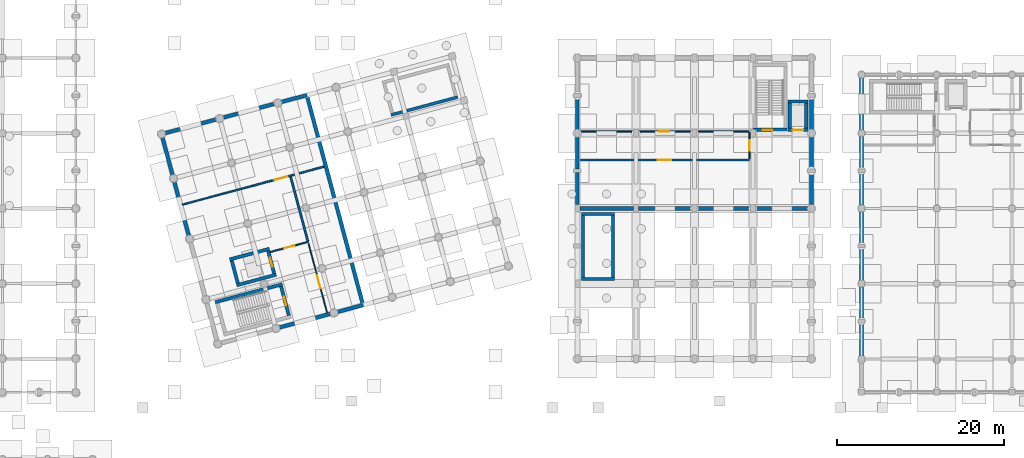
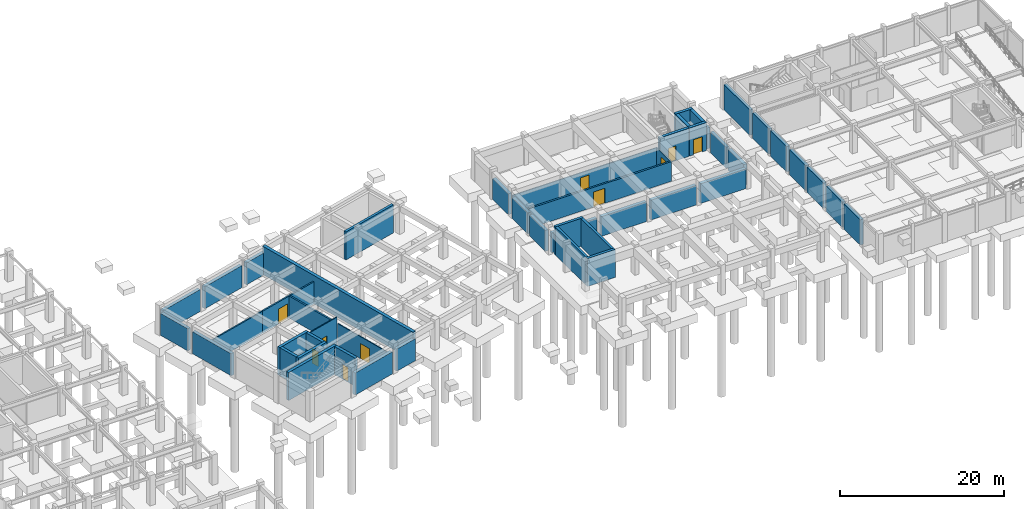
# One storey, part 13 of 20: 49 walls, 10 doors, 10 openings.
"""IFC4 building model written with IfcOpenShell, lengths in metres."""

from ifc_helpers import new_model, si_unit, direction, frame, frame_2d, origin, place, context, subcontext, project, spatial, rectangle, extrude, material, layer, layer_set, type_object, element, fill, save


model = new_model("IFC4")

# Units and contexts
model_context = context("Model", 3, precision=1e-05, world=origin(), true_north=direction((0.0, 1.0)))
body_context = subcontext(model_context, "Body", "Model", "MODEL_VIEW")
ifc_project = project(units=[si_unit("LENGTHUNIT", "METRE"), si_unit("AREAUNIT", "SQUARE_METRE"), si_unit("VOLUMEUNIT", "CUBIC_METRE"), si_unit("PLANEANGLEUNIT", "RADIAN"), si_unit("MASSUNIT", "GRAM", prefix="KILO")], contexts=[model_context])

# Site, building, storey
site_placement = place(None, origin())
site = spatial("IfcSite", under=ifc_project, at=site_placement, CompositionType="ELEMENT")
building_placement = place(site_placement, origin())
building = spatial("IfcBuilding", under=site, at=building_placement, Name="Ventoquebrada Cableway Terminal", CompositionType="ELEMENT")
storey_placement = place(building_placement, frame((0.0, 0.0, -4.5)))
storey = spatial("IfcBuildingStorey", under=building, at=storey_placement, Name="B1", CompositionType="ELEMENT", Elevation=-4.5)

# Wall, opening, door
ifc_material_1 = material(Name="Concrete C40/50", Category="concrete")
ifc_layer_1 = layer(ifc_material_1, 0.39990234375)
ifc_layer_set_1 = layer_set([ifc_layer_1], Name="Concrete C40/50")
wall_type_1 = type_object("IfcWallType", Name="WL-CR1", PredefinedType="SHEAR", material=ifc_layer_set_1)
wall_1_placement = place(storey_placement, frame((60.48291015625, 73.201904296875, 0.0), z_axis=(0.0, 0.0, 1.0), x_axis=(-0.258553052639, 0.965997059504, 0.0)))
wall_1 = element("IfcWall", 1, at=wall_1_placement, inside=storey, type_object=wall_type_1, Name="Core shear wall IW-0090", PredefinedType="SHEAR", context=body_context, shape_type="SweptSolid", body=[
    extrude(rectangle(XDim=3.600341796875, YDim=0.39990234375, at=frame_2d((1.80029296875, 0.0))), origin(), (0.0, 0.0, 1.0), 4.18994140625),
])
opening_1_placement = place(wall_1_placement, frame((1.199951171875, 0.0, 0.0)))
opening_1 = element("IfcOpeningElement", 2, at=opening_1_placement, cuts=wall_1, Name="Opening D-011", PredefinedType="OPENING", context=body_context, shape_type="SweptSolid", body=[
    extrude(rectangle(XDim=1.10009765625, YDim=2.199951171875, at=frame_2d((0.550048828125, 1.10009765625))), frame((0.0, 0.2099609375, 0.0), z_axis=(0.0, -1.0, 0.0), x_axis=(1.0, 0.0, 0.0)), (0.0, 0.0, 1.0), 0.419921875),
])
ifc_material_2 = material(Name="Galvanized fire-rated steel door assembly", Category="steel")
door_type_1 = type_object("IfcDoorType", Name="DT-IN05", OperationType="SINGLE_SWING_LEFT", PredefinedType="DOOR", material=ifc_material_2)
door_1_placement = place(opening_1_placement, origin())
door_1 = element("IfcDoor", 3, at=door_1_placement, inside=storey, type_object=door_type_1, Name="Core K2-S stair fire door D-011", OperationType="SINGLE_SWING_RIGHT", OverallHeight=2.199951171875, OverallWidth=1.10009765625, PredefinedType="DOOR", context=body_context, shape_type="SweptSolid", body=[
    extrude(rectangle(XDim=1.10009765625, YDim=2.199951171875, at=frame_2d((0.550048828125, 1.10009765625))), frame((0.0, 0.02490234375, 0.0), z_axis=(0.0, -1.0, 0.0), x_axis=(1.0, 0.0, 0.0)), (0.0, 0.0, 1.0), 0.050048828125),
])
fill(opening_1, door_1)

# Walls
wall_2_placement = place(storey_placement, frame((59.693115234375, 76.925048828125, 0.0), z_axis=(0.0, 0.0, 1.0), x_axis=(-0.965895785046, -0.258931134532, 0.0)))
element("IfcWall", 4, at=wall_2_placement, inside=storey, type_object=wall_type_1, Name="Core shear wall IW-0091", PredefinedType="SHEAR", context=body_context, shape_type="SweptSolid", body=[
    extrude(rectangle(XDim=8.300048828125, YDim=0.39990234375, at=frame_2d((4.14990234375, 0.0))), origin(), (0.0, 0.0, 1.0), 4.18994140625),
])
wall_3_placement = place(storey_placement, frame((54.237060546875, 76.80810546875, 0.0), z_axis=(0.0, 0.0, 1.0), x_axis=(0.96589421857, 0.258936977917, 0.0)))
element("IfcWall", 5, at=wall_3_placement, inside=storey, type_object=wall_type_1, Name="Core shear wall IW-0093", PredefinedType="SHEAR", context=body_context, shape_type="SweptSolid", body=[
    extrude(rectangle(XDim=4.900146484375, YDim=0.39990234375, at=frame_2d((2.4501953125, 0.0))), origin(), (0.0, 0.0, 1.0), 4.18994140625),
])

# Wall, opening, door
wall_4_placement = place(storey_placement, frame((58.72509765625, 78.218017578125, 0.0), z_axis=(0.0, 0.0, 1.0), x_axis=(-0.258585009686, 0.965988505504, 0.0)))
wall_4 = element("IfcWall", 6, at=wall_4_placement, inside=storey, type_object=wall_type_1, Name="Core shear wall IW-0094", PredefinedType="SHEAR", context=body_context, shape_type="SweptSolid", body=[
    extrude(rectangle(XDim=2.80029296875, YDim=0.39990234375, at=frame_2d((1.400146484375, 0.0))), origin(), (0.0, 0.0, 1.0), 4.18994140625),
])
opening_2_placement = place(wall_4_placement, frame((0.85009765625, 0.0, 0.0)))
opening_2 = element("IfcOpeningElement", 7, at=opening_2_placement, cuts=wall_4, Name="Opening LD-011", PredefinedType="OPENING", context=body_context, shape_type="SweptSolid", body=[
    extrude(rectangle(XDim=1.10009765625, YDim=2.199951171875, at=frame_2d((0.550048828125, 1.10009765625))), frame((0.0, 0.2099609375, 0.0), z_axis=(0.0, -1.0, 0.0), x_axis=(1.0, 0.0, 0.0)), (0.0, 0.0, 1.0), 0.419921875),
])
ifc_material_3 = material(Name="Brushed stainless steel Grade 316", Category="steel")
door_type_2 = type_object("IfcDoorType", Name="DT-LD01", OperationType="SLIDING_TO_LEFT", PredefinedType="DOOR", material=ifc_material_3)
door_2_placement = place(opening_2_placement, origin())
door_2 = element("IfcDoor", 8, at=door_2_placement, inside=storey, type_object=door_type_2, Name="Lift landing sliding door LD-011", OperationType="SLIDING_TO_RIGHT", OverallHeight=2.199951171875, OverallWidth=1.10009765625, PredefinedType="DOOR", context=body_context, shape_type="SweptSolid", body=[
    extrude(rectangle(XDim=1.10009765625, YDim=2.199951171875, at=frame_2d((0.550048828125, 1.10009765625))), frame((0.0, 0.02490234375, 0.0), z_axis=(0.0, -1.0, 0.0), x_axis=(1.0, 0.0, 0.0)), (0.0, 0.0, 1.0), 0.050048828125),
])
fill(opening_2, door_2)

# Walls
wall_5_placement = place(storey_placement, frame((58.14208984375, 81.16796875, 0.0), z_axis=(0.0, 0.0, 1.0), x_axis=(-0.965885097819, -0.258970998012, 0.0)))
element("IfcWall", 9, at=wall_5_placement, inside=storey, type_object=wall_type_1, Name="Core shear wall IW-0095", PredefinedType="SHEAR", context=body_context, shape_type="SweptSolid", body=[
    extrude(rectangle(XDim=4.900390625, YDim=0.39990234375, at=frame_2d((2.4501953125, 0.0))), origin(), (0.0, 0.0, 1.0), 4.18994140625),
])
wall_6_placement = place(storey_placement, frame((53.654052734375, 79.758056640625, 0.0), z_axis=(0.0, 0.0, 1.0), x_axis=(0.258503653459, -0.966010280043, 0.0)))
element("IfcWall", 10, at=wall_6_placement, inside=storey, type_object=wall_type_1, Name="Core shear wall IW-0096", PredefinedType="SHEAR", context=body_context, shape_type="SweptSolid", body=[
    extrude(rectangle(XDim=2.80029296875, YDim=0.39990234375, at=frame_2d((1.400146484375, 0.0))), origin(), (0.0, 0.0, 1.0), 4.18994140625),
])

# Wall, opening, door
wall_7_placement = place(storey_placement, frame((116.0, 95.39990234375, 0.0), z_axis=(0.0, 0.0, 1.0), x_axis=(1.0, 0.0, 0.0)))
wall_7 = element("IfcWall", 11, at=wall_7_placement, inside=storey, type_object=wall_type_1, Name="Core shear wall IW-0121", PredefinedType="SHEAR", context=body_context, shape_type="SweptSolid", body=[
    extrude(rectangle(XDim=4.10009765625, YDim=0.39990234375, at=frame_2d((2.050048828125, 0.0))), origin(), (0.0, 0.0, 1.0), 4.18994140625),
])
opening_3_placement = place(wall_7_placement, frame((1.199951171875, 0.0, 0.0)))
opening_3 = element("IfcOpeningElement", 12, at=opening_3_placement, cuts=wall_7, Name="Opening D-015", PredefinedType="OPENING", context=body_context, shape_type="SweptSolid", body=[
    extrude(rectangle(XDim=1.10009765625, YDim=2.199951171875, at=frame_2d((0.550048828125, 1.10009765625))), frame((0.0, 0.2099609375, 0.0), z_axis=(0.0, -1.0, 0.0), x_axis=(1.0, 0.0, 0.0)), (0.0, 0.0, 1.0), 0.419921875),
])
door_3_placement = place(opening_3_placement, origin())
door_3 = element("IfcDoor", 13, at=door_3_placement, inside=storey, type_object=door_type_1, Name="Core K4-S stair fire door D-015", OperationType="SINGLE_SWING_RIGHT", OverallHeight=2.199951171875, OverallWidth=1.10009765625, PredefinedType="DOOR", context=body_context, shape_type="SweptSolid", body=[
    extrude(rectangle(XDim=1.10009765625, YDim=2.199951171875, at=frame_2d((0.550048828125, 1.10009765625))), frame((0.0, 0.02490234375, 0.0), z_axis=(0.0, -1.0, 0.0), x_axis=(1.0, 0.0, 0.0)), (0.0, 0.0, 1.0), 0.050048828125),
])
fill(opening_3, door_3)

wall_8_placement = place(storey_placement, frame((120.199951171875, 95.39990234375, 0.0), z_axis=(0.0, 0.0, 1.0), x_axis=(1.0, 0.0, 0.0)))
wall_8 = element("IfcWall", 14, at=wall_8_placement, inside=storey, type_object=wall_type_1, Name="Core shear wall IW-0125", PredefinedType="SHEAR", context=body_context, shape_type="SweptSolid", body=[
    extrude(rectangle(XDim=2.400146484375, YDim=0.39990234375, at=frame_2d((1.2001953125, 0.0))), origin(), (0.0, 0.0, 1.0), 4.18994140625),
])
opening_4_placement = place(wall_8_placement, frame((0.550048828125, 0.0, 0.0)))
opening_4 = element("IfcOpeningElement", 15, at=opening_4_placement, cuts=wall_8, Name="Opening LD-015", PredefinedType="OPENING", context=body_context, shape_type="SweptSolid", body=[
    extrude(rectangle(XDim=1.300048828125, YDim=2.25, at=frame_2d((0.64990234375, 1.125))), frame((0.0, 0.2099609375, 0.0), z_axis=(0.0, -1.0, 0.0), x_axis=(1.0, 0.0, 0.0)), (0.0, 0.0, 1.0), 0.419921875),
])
door_type_3 = type_object("IfcDoorType", Name="DT-LD02", OperationType="SLIDING_TO_RIGHT", PredefinedType="DOOR", material=ifc_material_3)
door_4_placement = place(opening_4_placement, origin())
door_4 = element("IfcDoor", 16, at=door_4_placement, inside=storey, type_object=door_type_3, Name="Lift landing sliding door LD-015", OperationType="SLIDING_TO_RIGHT", OverallHeight=2.25, OverallWidth=1.300048828125, PredefinedType="DOOR", context=body_context, shape_type="SweptSolid", body=[
    extrude(rectangle(XDim=1.300048828125, YDim=2.25, at=frame_2d((0.64990234375, 1.125))), frame((0.0, 0.02490234375, 0.0), z_axis=(0.0, -1.0, 0.0), x_axis=(1.0, 0.0, 0.0)), (0.0, 0.0, 1.0), 0.050048828125),
])
fill(opening_4, door_4)

# Walls
wall_9_placement = place(storey_placement, frame((122.39990234375, 95.60009765625, 0.0), z_axis=(0.0, 0.0, 1.0), x_axis=(0.0, 1.0, 0.0)))
element("IfcWall", 17, at=wall_9_placement, inside=storey, type_object=wall_type_1, Name="Core shear wall IW-0126", PredefinedType="SHEAR", context=body_context, shape_type="SweptSolid", body=[
    extrude(rectangle(XDim=3.0, YDim=0.39990234375, at=frame_2d((1.5, 0.0))), origin(), (0.0, 0.0, 1.0), 4.18994140625),
])
wall_10_placement = place(storey_placement, frame((122.60009765625, 98.800048828125, 0.0), z_axis=(0.0, 0.0, 1.0), x_axis=(-1.0, 0.0, 0.0)))
element("IfcWall", 18, at=wall_10_placement, inside=storey, type_object=wall_type_1, Name="Core shear wall IW-0127", PredefinedType="SHEAR", context=body_context, shape_type="SweptSolid", body=[
    extrude(rectangle(XDim=2.400146484375, YDim=0.39990234375, at=frame_2d((1.2001953125, 0.0))), origin(), (0.0, 0.0, 1.0), 4.18994140625),
])
wall_11_placement = place(storey_placement, frame((120.39990234375, 98.60009765625, 0.0), z_axis=(0.0, 0.0, 1.0), x_axis=(0.0, -1.0, 0.0)))
element("IfcWall", 19, at=wall_11_placement, inside=storey, type_object=wall_type_1, Name="Core shear wall IW-0128", PredefinedType="SHEAR", context=body_context, shape_type="SweptSolid", body=[
    extrude(rectangle(XDim=3.0, YDim=0.39990234375, at=frame_2d((1.5, 0.0))), origin(), (0.0, 0.0, 1.0), 4.18994140625),
])

# Wall, opening, door
ifc_material_4 = material(Name="Fire-rated gypsum partition board on steel framing", Category="steel")
ifc_layer_2 = layer(ifc_material_4, 0.1201171875)
ifc_layer_set_2 = layer_set([ifc_layer_2], Name="Fire-rated gypsum partition board on steel framing")
wall_type_2 = type_object("IfcWallType", Name="WL-PT1", PredefinedType="PARTITIONING", material=ifc_layer_set_2)
wall_12_placement = place(storey_placement, frame((65.056884765625, 73.52001953125, 0.0), z_axis=(0.0, 0.0, 1.0), x_axis=(-0.258851340835, 0.965917172095, 0.0)))
wall_12 = element("IfcWall", 20, at=wall_12_placement, inside=storey, type_object=wall_type_2, Name="Interior partition IW-0301", PredefinedType="PARTITIONING", context=body_context, shape_type="SweptSolid", body=[
    extrude(rectangle(XDim=8.576171875, YDim=0.1201171875, at=frame_2d((4.2880859375, 0.0))), origin(), (0.0, 0.0, 1.0), 3.284912109375),
])
opening_5_placement = place(wall_12_placement, frame((3.0380859375, 0.0, 0.0)))
opening_5 = element("IfcOpeningElement", 21, at=opening_5_placement, cuts=wall_12, Name="Opening D-051", PredefinedType="OPENING", context=body_context, shape_type="SweptSolid", body=[
    extrude(rectangle(XDim=1.60009765625, YDim=2.25, at=frame_2d((0.800048828125, 1.125))), frame((0.0, 0.070068359375, 0.0), z_axis=(0.0, -1.0, 0.0), x_axis=(1.0, 0.0, 0.0)), (0.0, 0.0, 1.0), 0.14013671875),
])
door_type_4 = type_object("IfcDoorType", Name="DT-IN07", OperationType="DOUBLE_SWING_LEFT", PredefinedType="DOOR", material=ifc_material_2)
door_5_placement = place(opening_5_placement, origin())
door_5 = element("IfcDoor", 22, at=door_5_placement, inside=storey, type_object=door_type_4, Name="Bullwheel Pit Door D-051", OperationType="DOUBLE_SWING_RIGHT", OverallHeight=2.25, OverallWidth=1.60009765625, PredefinedType="DOOR", context=body_context, shape_type="SweptSolid", body=[
    extrude(rectangle(XDim=1.60009765625, YDim=2.25, at=frame_2d((0.800048828125, 1.125))), frame((0.0, 0.02490234375, 0.0), z_axis=(0.0, -1.0, 0.0), x_axis=(1.0, 0.0, 0.0)), (0.0, 0.0, 1.0), 0.050048828125),
])
fill(opening_5, door_5)

ifc_layer_3 = layer(ifc_material_4, 0.14990234375)
ifc_layer_set_3 = layer_set([ifc_layer_3], Name="Fire-rated gypsum partition board on steel framing")
wall_type_3 = type_object("IfcWallType", Name="WL-PT2", PredefinedType="PARTITIONING", material=ifc_layer_set_3)
wall_13_placement = place(storey_placement, frame((58.2451171875, 80.781005859375, 0.0), z_axis=(0.0, 0.0, 1.0), x_axis=(0.96594550127, 0.258745605906, 0.0)))
wall_13 = element("IfcWall", 23, at=wall_13_placement, inside=storey, type_object=wall_type_3, Name="Interior partition IW-0302", PredefinedType="PARTITIONING", context=body_context, shape_type="SweptSolid", body=[
    extrude(rectangle(XDim=4.699951171875, YDim=0.14990234375, at=frame_2d((2.35009765625, 0.0))), origin(), (0.0, 0.0, 1.0), 4.135009765625),
])
opening_6_placement = place(wall_13_placement, frame((1.75, 0.0, 0.0)))
opening_6 = element("IfcOpeningElement", 24, at=opening_6_placement, cuts=wall_13, Name="Opening D-052", PredefinedType="OPENING", context=body_context, shape_type="SweptSolid", body=[
    extrude(rectangle(XDim=1.199951171875, YDim=2.199951171875, at=frame_2d((0.60009765625, 1.10009765625))), frame((0.0, 0.0849609375, 0.0), z_axis=(0.0, -1.0, 0.0), x_axis=(1.0, 0.0, 0.0)), (0.0, 0.0, 1.0), 0.169921875),
])
door_type_5 = type_object("IfcDoorType", Name="DT-IN06", OperationType="SINGLE_SWING_RIGHT", PredefinedType="DOOR", material=ifc_material_2)
door_6_placement = place(opening_6_placement, origin())
door_6 = element("IfcDoor", 25, at=door_6_placement, inside=storey, type_object=door_type_5, Name="K2 Lobby Corridor Door D-052", OperationType="SINGLE_SWING_LEFT", OverallHeight=2.199951171875, OverallWidth=1.199951171875, PredefinedType="DOOR", context=body_context, shape_type="SweptSolid", body=[
    extrude(rectangle(XDim=1.199951171875, YDim=2.199951171875, at=frame_2d((0.60009765625, 1.10009765625))), frame((0.0, 0.02490234375, 0.0), z_axis=(0.0, -1.0, 0.0), x_axis=(1.0, 0.0, 0.0)), (0.0, 0.0, 1.0), 0.050048828125),
])
fill(opening_6, door_6)

# Wall
ifc_layer_4 = layer(ifc_material_4, 0.179931640625)
ifc_layer_set_4 = layer_set([ifc_layer_4], Name="Fire-rated gypsum partition board on steel framing")
wall_type_4 = type_object("IfcWallType", Name="WL-PT3", PredefinedType="STANDARD", material=ifc_layer_set_4)
wall_14_placement = place(storey_placement, frame((47.741943359375, 86.4560546875, 0.0), z_axis=(0.0, 0.0, 1.0), x_axis=(0.965921801336, 0.258834065964, 0.0)))
element("IfcWall", 26, at=wall_14_placement, inside=storey, type_object=wall_type_4, Name="Interior partition IW-0303", PredefinedType="STANDARD", context=body_context, shape_type="SweptSolid", body=[
    extrude(rectangle(XDim=8.6767578125, YDim=0.179931640625, at=frame_2d((4.33837890625, 0.0))), origin(), (0.0, 0.0, 1.0), 3.284912109375),
])

# Wall, opening, door
ifc_material_5 = material(Name="Autoclaved aerated concrete blockwork", Category="masonry")
ifc_layer_5 = layer(ifc_material_5, 0.199951171875)
ifc_layer_set_5 = layer_set([ifc_layer_5], Name="Autoclaved aerated concrete blockwork")
wall_type_5 = type_object("IfcWallType", Name="WL-PT4", PredefinedType="PARTITIONING", material=ifc_layer_set_5)
wall_15_placement = place(storey_placement, frame((56.123046875, 88.701904296875, 0.0), z_axis=(0.0, 0.0, 1.0), x_axis=(0.965933442502, 0.258790619337, 0.0)))
wall_15 = element("IfcWall", 27, at=wall_15_placement, inside=storey, type_object=wall_type_5, Name="Interior partition IW-0304", PredefinedType="PARTITIONING", context=body_context, shape_type="SweptSolid", body=[
    extrude(rectangle(XDim=8.87646484375, YDim=0.199951171875, at=frame_2d((4.438232421875, 0.0))), origin(), (0.0, 0.0, 1.0), 3.284912109375),
])
opening_7_placement = place(wall_15_placement, frame((2.738037109375, 0.0, 0.0)))
opening_7 = element("IfcOpeningElement", 28, at=opening_7_placement, cuts=wall_15, Name="Opening D-053", PredefinedType="OPENING", context=body_context, shape_type="SweptSolid", body=[
    extrude(rectangle(XDim=1.60009765625, YDim=2.25, at=frame_2d((0.800048828125, 1.125))), frame((0.0, 0.10986328125, 0.0), z_axis=(0.0, -1.0, 0.0), x_axis=(1.0, 0.0, 0.0)), (0.0, 0.0, 1.0), 0.219970703125),
])
door_7_placement = place(opening_7_placement, origin())
door_7 = element("IfcDoor", 29, at=door_7_placement, inside=storey, type_object=door_type_4, Name="Hydraulic Plant Hall Door D-053", OperationType="DOUBLE_SWING_RIGHT", OverallHeight=2.25, OverallWidth=1.60009765625, PredefinedType="DOOR", context=body_context, shape_type="SweptSolid", body=[
    extrude(rectangle(XDim=1.60009765625, YDim=2.25, at=frame_2d((0.800048828125, 1.125))), frame((0.0, 0.02490234375, 0.0), z_axis=(0.0, -1.0, 0.0), x_axis=(1.0, 0.0, 0.0)), (0.0, 0.0, 1.0), 0.050048828125),
])
fill(opening_7, door_7)

# Wall
ifc_layer_6 = layer(ifc_material_5, 0.22998046875)
ifc_layer_set_6 = layer_set([ifc_layer_6], Name="Autoclaved aerated concrete blockwork")
wall_type_6 = type_object("IfcWallType", Name="WL-PT5", PredefinedType="PARTITIONING", material=ifc_layer_set_6)
wall_16_placement = place(storey_placement, frame((62.76611328125, 82.068115234375, 0.0), z_axis=(0.0, 0.0, 1.0), x_axis=(-0.258813089189, 0.965927422152, 0.0)))
element("IfcWall", 30, at=wall_16_placement, inside=storey, type_object=wall_type_6, Name="Interior partition IW-0305", PredefinedType="PARTITIONING", context=body_context, shape_type="SweptSolid", body=[
    extrude(rectangle(XDim=8.029541015625, YDim=0.22998046875, at=frame_2d((4.0146484375, 0.0))), origin(), (0.0, 0.0, 1.0), 3.284912109375),
])

# Wall, opening, door
ifc_layer_7 = layer(ifc_material_5, 0.260009765625)
ifc_layer_set_7 = layer_set([ifc_layer_7], Name="Autoclaved aerated concrete blockwork")
wall_type_7 = type_object("IfcWallType", Name="WL-PT6", PredefinedType="PARTITIONING", material=ifc_layer_set_7)
wall_17_placement = place(storey_placement, frame((95.222900390625, 91.800048828125, 0.0), z_axis=(0.0, 0.0, 1.0), x_axis=(1.0, 0.0, 0.0)))
wall_17 = element("IfcWall", 31, at=wall_17_placement, inside=storey, type_object=wall_type_7, Name="Interior partition IW-0306", PredefinedType="PARTITIONING", context=body_context, shape_type="SweptSolid", body=[
    extrude(rectangle(XDim=20.377197265625, YDim=0.260009765625, at=frame_2d((10.1884765625, 0.0))), origin(), (0.0, 0.0, 1.0), 2.93505859375),
])
opening_8_placement = place(wall_17_placement, frame((9.387939453125, 0.0, 0.0)))
opening_8 = element("IfcOpeningElement", 32, at=opening_8_placement, cuts=wall_17, Name="Opening D-054", PredefinedType="OPENING", context=body_context, shape_type="SweptSolid", body=[
    extrude(rectangle(XDim=1.60009765625, YDim=2.25, at=frame_2d((0.800048828125, 1.125))), frame((0.0, 0.139892578125, 0.0), z_axis=(0.0, -1.0, 0.0), x_axis=(1.0, 0.0, 0.0)), (0.0, 0.0, 1.0), 0.280029296875),
])
door_8_placement = place(opening_8_placement, origin())
door_8 = element("IfcDoor", 33, at=door_8_placement, inside=storey, type_object=door_type_4, Name="Counterweight Tension Vault Door D-054", OperationType="DOUBLE_SWING_LEFT", OverallHeight=2.25, OverallWidth=1.60009765625, PredefinedType="DOOR", context=body_context, shape_type="SweptSolid", body=[
    extrude(rectangle(XDim=1.60009765625, YDim=2.25, at=frame_2d((0.800048828125, 1.125))), frame((0.0, 0.02490234375, 0.0), z_axis=(0.0, -1.0, 0.0), x_axis=(1.0, 0.0, 0.0)), (0.0, 0.0, 1.0), 0.050048828125),
])
fill(opening_8, door_8)

ifc_layer_8 = layer(ifc_material_4, 0.135009765625)
ifc_layer_set_8 = layer_set([ifc_layer_8], Name="Fire-rated gypsum partition board on steel framing")
wall_type_8 = type_object("IfcWallType", Name="WL-PT7", PredefinedType="PARTITIONING", material=ifc_layer_set_8)
wall_18_placement = place(storey_placement, frame((95.199951171875, 95.199951171875, 0.0), z_axis=(0.0, 0.0, 1.0), x_axis=(1.0, 0.0, 0.0)))
wall_18 = element("IfcWall", 34, at=wall_18_placement, inside=storey, type_object=wall_type_8, Name="Interior partition IW-0307", PredefinedType="PARTITIONING", context=body_context, shape_type="SweptSolid", body=[
    extrude(rectangle(XDim=20.400146484375, YDim=0.135009765625, at=frame_2d((10.2001953125, 0.0))), origin(), (0.0, 0.0, 1.0), 2.93505859375),
])
opening_9_placement = place(wall_18_placement, frame((9.60009765625, 0.0, 0.0)))
opening_9 = element("IfcOpeningElement", 35, at=opening_9_placement, cuts=wall_18, Name="Opening D-055", PredefinedType="OPENING", context=body_context, shape_type="SweptSolid", body=[
    extrude(rectangle(XDim=1.199951171875, YDim=2.199951171875, at=frame_2d((0.60009765625, 1.10009765625))), frame((0.0, 0.077392578125, 0.0), z_axis=(0.0, -1.0, 0.0), x_axis=(1.0, 0.0, 0.0)), (0.0, 0.0, 1.0), 0.155029296875),
])
door_9_placement = place(opening_9_placement, origin())
door_9 = element("IfcDoor", 36, at=door_9_placement, inside=storey, type_object=door_type_5, Name="Regenerative Drive Inverter Door D-055", OperationType="SINGLE_SWING_RIGHT", OverallHeight=2.199951171875, OverallWidth=1.199951171875, PredefinedType="DOOR", context=body_context, shape_type="SweptSolid", body=[
    extrude(rectangle(XDim=1.199951171875, YDim=2.199951171875, at=frame_2d((0.60009765625, 1.10009765625))), frame((0.0, 0.02490234375, 0.0), z_axis=(0.0, -1.0, 0.0), x_axis=(1.0, 0.0, 0.0)), (0.0, 0.0, 1.0), 0.050048828125),
])
fill(opening_9, door_9)

ifc_layer_9 = layer(ifc_material_4, 0.1650390625)
ifc_layer_set_9 = layer_set([ifc_layer_9], Name="Fire-rated gypsum partition board on steel framing")
wall_type_9 = type_object("IfcWallType", Name="WL-PT8", PredefinedType="PARTITIONING", material=ifc_layer_set_9)
wall_19_placement = place(storey_placement, frame((115.60009765625, 91.927978515625, 0.0), z_axis=(0.0, 0.0, 1.0), x_axis=(0.0, 1.0, 0.0)))
wall_19 = element("IfcWall", 37, at=wall_19_placement, inside=storey, type_object=wall_type_9, Name="Interior partition IW-0308", PredefinedType="PARTITIONING", context=body_context, shape_type="SweptSolid", body=[
    extrude(rectangle(XDim=3.20703125, YDim=0.1650390625, at=frame_2d((1.603515625, 0.0))), origin(), (0.0, 0.0, 1.0), 2.93505859375),
])
opening_10_placement = place(wall_19_placement, frame((1.00390625, 0.0, 0.0)))
opening_10 = element("IfcOpeningElement", 38, at=opening_10_placement, cuts=wall_19, Name="Opening D-056", PredefinedType="OPENING", context=body_context, shape_type="SweptSolid", body=[
    extrude(rectangle(XDim=1.199951171875, YDim=2.199951171875, at=frame_2d((0.60009765625, 1.10009765625))), frame((0.0, 0.092529296875, 0.0), z_axis=(0.0, -1.0, 0.0), x_axis=(1.0, 0.0, 0.0)), (0.0, 0.0, 1.0), 0.18505859375),
])
door_10_placement = place(opening_10_placement, origin())
door_10 = element("IfcDoor", 39, at=door_10_placement, inside=storey, type_object=door_type_5, Name="K4 Basement Lobby Door D-056", OperationType="SINGLE_SWING_LEFT", OverallHeight=2.199951171875, OverallWidth=1.199951171875, PredefinedType="DOOR", context=body_context, shape_type="SweptSolid", body=[
    extrude(rectangle(XDim=1.199951171875, YDim=2.199951171875, at=frame_2d((0.60009765625, 1.10009765625))), frame((0.0, 0.02490234375, 0.0), z_axis=(0.0, -1.0, 0.0), x_axis=(1.0, 0.0, 0.0)), (0.0, 0.0, 1.0), 0.050048828125),
])
fill(opening_10, door_10)

# Walls
ifc_material_6 = material(Name="Concrete C45/55", Category="concrete")
ifc_layer_10 = layer(ifc_material_6, 0.449951171875)
ifc_layer_set_10 = layer_set([ifc_layer_10], Name="Concrete C45/55")
wall_type_10 = type_object("IfcWallType", Name="WL-RT1", PredefinedType="USERDEFINED", material=ifc_layer_set_10)
for number, where, z_axis, x_axis, name in (
    (40, (95.294921875, 86.0, 0.0), (0.0, 0.0, 1.0), (1.0, 0.0, 0.0), "Perimeter basement retaining wall EW-0015"),
    (41, (102.294921875, 86.0, 0.0), (0.0, 0.0, 1.0), (1.0, 0.0, 0.0), "Perimeter basement retaining wall EW-0016"),
    (42, (109.294921875, 86.0, 0.0), (0.0, 0.0, 1.0), (1.0, 0.0, 0.0), "Perimeter basement retaining wall EW-0017"),
    (43, (116.294921875, 86.0, 0.0), (0.0, 0.0, 1.0), (1.0, 0.0, 0.0), "Perimeter basement retaining wall EW-0018"),
):
    element("IfcWall", number, at=place(storey_placement, frame(where, z_axis=z_axis, x_axis=x_axis)), inside=storey, type_object=wall_type_10, Name=name, ObjectType="RETAINING WALL", PredefinedType="USERDEFINED", context=body_context, shape_type="SweptSolid", body=[
        extrude(rectangle(XDim=6.41015625, YDim=0.449951171875, at=frame_2d((3.205078125, 0.0))), origin(), (0.0, 0.0, 1.0), 2.945068359375),
    ])
for number, where, z_axis, x_axis, name in (
    (44, (123.0, 86.445068359375, 0.0), (0.0, 0.0, 1.0), (0.0, 1.0, 0.0), "Perimeter basement retaining wall EW-0019"),
    (45, (123.0, 90.719970703125, 0.0), (0.0, 0.0, 1.0), (0.0, 1.0, 0.0), "Perimeter basement retaining wall EW-0020"),
    (46, (123.0, 95.445068359375, 0.0), (0.0, 0.0, 1.0), (0.0, 1.0, 0.0), "Perimeter basement retaining wall EW-0021"),
    (47, (95.0, 99.280029296875, 0.0), (0.0, 0.0, 1.0), (0.0, -1.0, 0.0), "Perimeter basement retaining wall EW-0028"),
    (48, (95.0, 94.554931640625, 0.0), (0.0, 0.0, 1.0), (0.0, -1.0, 0.0), "Perimeter basement retaining wall EW-0029"),
    (49, (95.0, 90.280029296875, 0.0), (0.0, 0.0, 1.0), (0.0, -1.0, 0.0), "Perimeter basement retaining wall EW-0030"),
):
    element("IfcWall", number, at=place(storey_placement, frame(where, z_axis=z_axis, x_axis=x_axis)), inside=storey, type_object=wall_type_10, Name=name, ObjectType="RETAINING WALL", PredefinedType="USERDEFINED", context=body_context, shape_type="SweptSolid", body=[
        extrude(rectangle(XDim=3.8349609375, YDim=0.449951171875, at=frame_2d((1.91748046875, 0.0))), origin(), (0.0, 0.0, 1.0), 3.125),
    ])
wall_20_placement = place(storey_placement, frame((129.0, 101.655029296875, 0.0), z_axis=(0.0, 0.0, 1.0), x_axis=(0.0, -1.0, 0.0)))
element("IfcWall", 50, at=wall_20_placement, inside=storey, type_object=wall_type_10, Name="Perimeter basement retaining wall EW-0055", ObjectType="RETAINING WALL", PredefinedType="USERDEFINED", context=body_context, shape_type="SweptSolid", body=[
    extrude(rectangle(XDim=6.31005859375, YDim=0.449951171875, at=frame_2d((3.155029296875, 0.0))), origin(), (0.0, 0.0, 1.0), 3.77490234375),
])
for number, where, z_axis, x_axis, name in (
    (51, (129.0, 94.655029296875, 0.0), (0.0, 0.0, 1.0), (0.0, -1.0, 0.0), "Perimeter basement retaining wall EW-0056"),
    (52, (129.0, 90.304931640625, 0.0), (0.0, 0.0, 1.0), (0.0, -1.0, 0.0), "Perimeter basement retaining wall EW-0057"),
    (53, (129.0, 85.655029296875, 0.0), (0.0, 0.0, 1.0), (0.0, -1.0, 0.0), "Perimeter basement retaining wall EW-0058"),
    (54, (129.0, 81.304931640625, 0.0), (0.0, 0.0, 1.0), (0.0, -1.0, 0.0), "Perimeter basement retaining wall EW-0059"),
    (55, (129.0, 76.655029296875, 0.0), (0.0, 0.0, 1.0), (0.0, -1.0, 0.0), "Perimeter basement retaining wall EW-0060"),
    (56, (129.0, 72.304931640625, 0.0), (0.0, 0.0, 1.0), (0.0, -1.0, 0.0), "Perimeter basement retaining wall EW-0061"),
):
    element("IfcWall", number, at=place(storey_placement, frame(where, z_axis=z_axis, x_axis=x_axis)), inside=storey, type_object=wall_type_10, Name=name, ObjectType="RETAINING WALL", PredefinedType="USERDEFINED", context=body_context, shape_type="SweptSolid", body=[
        extrude(rectangle(XDim=3.9599609375, YDim=0.449951171875, at=frame_2d((1.97998046875, 0.0))), origin(), (0.0, 0.0, 1.0), 3.77490234375),
    ])
wall_21_placement = place(storey_placement, frame((59.31494140625, 71.75, 0.0), z_axis=(0.0, 0.0, 1.0), x_axis=(0.965912336958, 0.258869382726, 0.0)))
element("IfcWall", 57, at=wall_21_placement, inside=storey, type_object=wall_type_10, Name="Perimeter basement retaining wall EW-0064", ObjectType="RETAINING WALL", PredefinedType="USERDEFINED", context=body_context, shape_type="SweptSolid", body=[
    extrude(rectangle(XDim=6.408447265625, YDim=0.449951171875, at=frame_2d((3.2041015625, 0.0))), origin(), (0.0, 0.0, 1.0), 3.294921875),
])
wall_22_placement = place(storey_placement, frame((66.26904296875, 73.613037109375, 0.0), z_axis=(0.0, 0.0, 1.0), x_axis=(0.965885135163, 0.25897085873, 0.0)))
element("IfcWall", 58, at=wall_22_placement, inside=storey, type_object=wall_type_10, Name="Perimeter basement retaining wall EW-0065", ObjectType="RETAINING WALL", PredefinedType="USERDEFINED", context=body_context, shape_type="SweptSolid", body=[
    extrude(rectangle(XDim=3.205322265625, YDim=0.449951171875, at=frame_2d((1.6025390625, 0.0))), origin(), (0.0, 0.0, 1.0), 3.294921875),
])
wall_23_placement = place(storey_placement, frame((69.364990234375, 74.443115234375, 0.0), z_axis=(0.0, 0.0, 1.0), x_axis=(-0.258846540427, 0.96591845852, 0.0)))
element("IfcWall", 59, at=wall_23_placement, inside=storey, type_object=wall_type_10, Name="Perimeter basement retaining wall EW-0066", ObjectType="RETAINING WALL", PredefinedType="USERDEFINED", context=body_context, shape_type="SweptSolid", body=[
    extrude(rectangle(XDim=26.0, YDim=0.449951171875, at=frame_2d((13.0, 0.0))), origin(), (0.0, 0.0, 1.0), 4.219970703125),
])
wall_24_placement = place(storey_placement, frame((62.635009765625, 99.556884765625, 0.0), z_axis=(0.0, 0.0, 1.0), x_axis=(-0.965904185266, -0.258899796997, 0.0)))
element("IfcWall", 60, at=wall_24_placement, inside=storey, type_object=wall_type_10, Name="Perimeter basement retaining wall EW-0067", ObjectType="RETAINING WALL", PredefinedType="USERDEFINED", context=body_context, shape_type="SweptSolid", body=[
    extrude(rectangle(XDim=3.205322265625, YDim=0.449951171875, at=frame_2d((1.6025390625, 0.0))), origin(), (0.0, 0.0, 1.0), 3.294921875),
])
for number, where, z_axis, x_axis, name in (
    (61, (58.77587890625, 98.52294921875, 0.0), (0.0, 0.0, 1.0), (-0.965922546746, -0.258831284215, 0.0), "Perimeter basement retaining wall EW-0068"),
    (62, (51.822021484375, 96.658935546875, 0.0), (0.0, 0.0, 1.0), (-0.965922546746, -0.258831284215, 0.0), "Perimeter basement retaining wall EW-0069"),
):
    element("IfcWall", number, at=place(storey_placement, frame(where, z_axis=z_axis, x_axis=x_axis)), inside=storey, type_object=wall_type_10, Name=name, ObjectType="RETAINING WALL", PredefinedType="USERDEFINED", context=body_context, shape_type="SweptSolid", body=[
        extrude(rectangle(XDim=6.409423828125, YDim=0.449951171875, at=frame_2d((3.20458984375, 0.0))), origin(), (0.0, 0.0, 1.0), 3.294921875),
    ])
wall_25_placement = place(storey_placement, frame((45.35107421875, 94.51611328125, 0.0), z_axis=(0.0, 0.0, 1.0), x_axis=(0.258885537606, -0.965908007223, 0.0)))
element("IfcWall", 63, at=wall_25_placement, inside=storey, type_object=wall_type_10, Name="Perimeter basement retaining wall EW-0070", ObjectType="RETAINING WALL", PredefinedType="USERDEFINED", context=body_context, shape_type="SweptSolid", body=[
    extrude(rectangle(XDim=4.708740234375, YDim=0.449951171875, at=frame_2d((2.3544921875, 0.0))), origin(), (0.0, 0.0, 1.0), 3.294921875),
])
wall_26_placement = place(storey_placement, frame((46.77392578125, 89.205078125, 0.0), z_axis=(0.0, 0.0, 1.0), x_axis=(0.258842159796, -0.965919632429, 0.0)))
element("IfcWall", 64, at=wall_26_placement, inside=storey, type_object=wall_type_10, Name="Perimeter basement retaining wall EW-0071", ObjectType="RETAINING WALL", PredefinedType="USERDEFINED", context=body_context, shape_type="SweptSolid", body=[
    extrude(rectangle(XDim=6.7109375, YDim=0.449951171875, at=frame_2d((3.35546875, 0.0))), origin(), (0.0, 0.0, 1.0), 3.294921875),
])
ifc_layer_11 = layer(ifc_material_1, 0.35009765625)
ifc_layer_set_11 = layer_set([ifc_layer_11], Name="Concrete C40/50")
wall_type_11 = type_object("IfcWallType", Name="WL-SH1", PredefinedType="SHEAR", material=ifc_layer_set_11)
wall_27_placement = place(storey_placement, frame((95.47509765625, 77.550048828125, 0.0), z_axis=(0.0, 0.0, 1.0), x_axis=(1.0, 0.0, 0.0)))
element("IfcWall", 65, at=wall_27_placement, inside=storey, type_object=wall_type_11, Name="Core shear wall IW-0229", PredefinedType="SHEAR", context=body_context, shape_type="SweptSolid", body=[
    extrude(rectangle(XDim=3.949951171875, YDim=0.35009765625, at=frame_2d((1.97509765625, 0.0))), origin(), (0.0, 0.0, 1.0), 4.18994140625),
])
wall_28_placement = place(storey_placement, frame((99.25, 77.72509765625, 0.0), z_axis=(0.0, 0.0, 1.0), x_axis=(0.0, 1.0, 0.0)))
element("IfcWall", 66, at=wall_28_placement, inside=storey, type_object=wall_type_11, Name="Core shear wall IW-0230", PredefinedType="SHEAR", context=body_context, shape_type="SweptSolid", body=[
    extrude(rectangle(XDim=7.449951171875, YDim=0.35009765625, at=frame_2d((3.72509765625, 0.0))), origin(), (0.0, 0.0, 1.0), 4.18994140625),
])
wall_29_placement = place(storey_placement, frame((99.425048828125, 85.35009765625, 0.0), z_axis=(0.0, 0.0, 1.0), x_axis=(-1.0, 0.0, 0.0)))
element("IfcWall", 67, at=wall_29_placement, inside=storey, type_object=wall_type_11, Name="Core shear wall IW-0231", PredefinedType="SHEAR", context=body_context, shape_type="SweptSolid", body=[
    extrude(rectangle(XDim=3.949951171875, YDim=0.35009765625, at=frame_2d((1.97509765625, 0.0))), origin(), (0.0, 0.0, 1.0), 4.18994140625),
])
wall_30_placement = place(storey_placement, frame((95.64990234375, 85.175048828125, 0.0), z_axis=(0.0, 0.0, 1.0), x_axis=(0.0, -1.0, 0.0)))
element("IfcWall", 68, at=wall_30_placement, inside=storey, type_object=wall_type_11, Name="Core shear wall IW-0232", PredefinedType="SHEAR", context=body_context, shape_type="SweptSolid", body=[
    extrude(rectangle(XDim=7.449951171875, YDim=0.35009765625, at=frame_2d((3.72509765625, 0.0))), origin(), (0.0, 0.0, 1.0), 4.18994140625),
])
wall_31_placement = place(storey_placement, frame((72.718017578125, 97.18603515625, 0.0), z_axis=(0.0, 0.0, 1.0), x_axis=(0.965926253902, 0.258817449225, 0.0)))
element("IfcWall", 69, at=wall_31_placement, inside=storey, type_object=wall_type_11, Name="Core shear wall IW-0277", PredefinedType="SHEAR", context=body_context, shape_type="SweptSolid", body=[
    extrude(rectangle(XDim=8.2490234375, YDim=0.35009765625, at=frame_2d((4.12451171875, 0.0))), origin(), (0.0, 0.0, 1.0), 4.18994140625),
])

save(model, "model.ifc")
